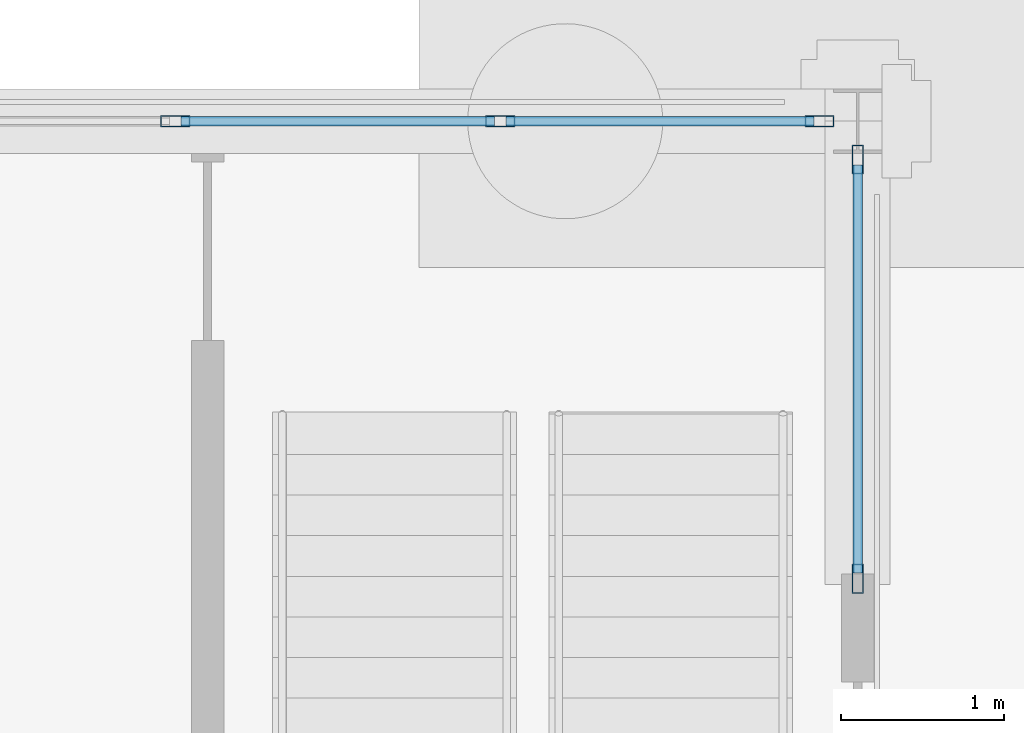
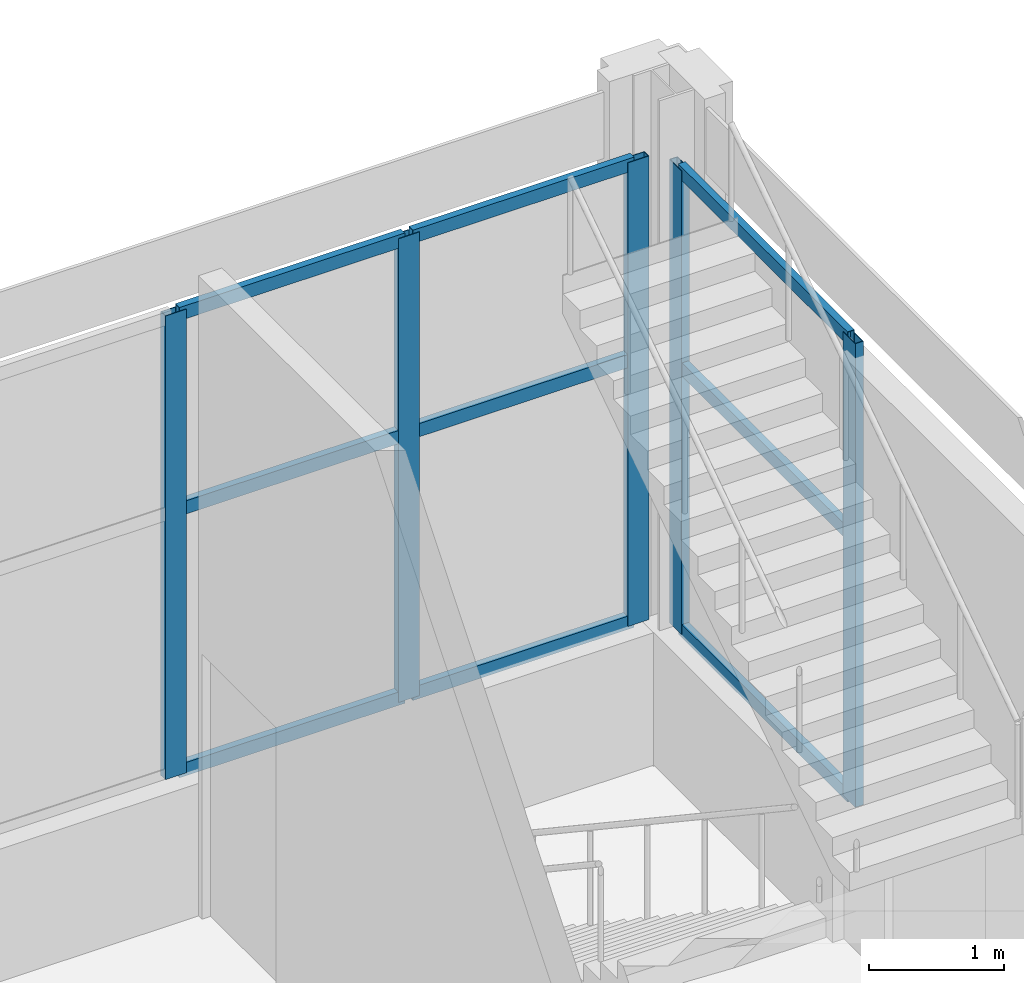
# One storey, part 165 of 212: 14 members, 2 elements without a shape of their own.
"""IFC4 building model written with IfcOpenShell, lengths in metres."""

from ifc_helpers import new_model, si_unit, direction, frame, origin, origin_2d, place, context, subcontext, project, spatial, hollow_rectangle, extrude, material, material_profile, profile_set, type_object, element, aggregate, save


model = new_model("IFC4")

# Units and contexts
model_context = context("Model", 3, precision=1e-05, world=origin(), true_north=direction((0.0, 1.0)))
body_context = subcontext(model_context, "Body", "Model", "MODEL_VIEW")
ifc_project = project(units=[si_unit("LENGTHUNIT", "METRE"), si_unit("AREAUNIT", "SQUARE_METRE"), si_unit("VOLUMEUNIT", "CUBIC_METRE"), si_unit("PLANEANGLEUNIT", "RADIAN"), si_unit("MASSUNIT", "GRAM", prefix="KILO")], contexts=[model_context])

# Site, building, storey
site_placement = place(None, origin())
site = spatial("IfcSite", under=ifc_project, at=site_placement, CompositionType="ELEMENT")
building_placement = place(site_placement, origin())
building = spatial("IfcBuilding", under=site, at=building_placement, Name="Catenary Quay Ferry Terminal", CompositionType="ELEMENT")
storey_placement = place(building_placement, origin())
storey = spatial("IfcBuildingStorey", under=building, at=storey_placement, Name="L00", CompositionType="ELEMENT", Elevation=0.0)

# Curtain wall, members
ifc_material_1 = material(Name="Aluminium and glass", Category="aluminium")
curtain_wall_type = type_object("IfcCurtainWallType", Name="CWW1", PredefinedType="NOTDEFINED", material=ifc_material_1)
curtain_wall_1_placement = place(storey_placement, origin())
curtain_wall_1 = element("IfcCurtainWall", 1, at=curtain_wall_1_placement, inside=storey, type_object=curtain_wall_type, Name="Wing curtain wall CW103", PredefinedType="NOTDEFINED")
ifc_material_2 = material(Name="Aluminium", Category="aluminium")
ifc_material_profile_1 = material_profile(ifc_material_2, hollow_rectangle(XDim=0.070068359375, YDim=0.179931640625, WallThickness=0.006103515625, at=origin_2d()), Name="MU3")
ifc_profile_set_1 = profile_set([ifc_material_profile_1], Name="Aluminium")
member_type_1 = type_object("IfcMemberType", Name="MU3", PredefinedType="MULLION", material=ifc_profile_set_1)
member_1_placement = place(storey_placement, frame((67.199951171875, 207.18505859375, 1.199951171875), z_axis=(0.0, 0.0, 1.0), x_axis=(-1.0, 0.0, 0.0)))
member_1 = element("IfcMember", 2, at=member_1_placement, type_object=member_type_1, Name="CW103 mullion 1", PredefinedType="MULLION", context=body_context, shape_type="SweptSolid", body=[
    extrude(hollow_rectangle(XDim=0.070068359375, YDim=0.179931640625, WallThickness=0.006103515625, at=origin_2d()), origin(), (0.0, 0.0, 1.0), 4.199951171875),
])
member_2_placement = place(storey_placement, frame((67.199951171875, 209.764892578125, 1.199951171875), z_axis=(0.0, 0.0, 1.0), x_axis=(-1.0, 0.0, 0.0)))
member_2 = element("IfcMember", 3, at=member_2_placement, type_object=member_type_1, Name="CW103 mullion 2", PredefinedType="MULLION", context=body_context, shape_type="SweptSolid", body=[
    extrude(hollow_rectangle(XDim=0.070068359375, YDim=0.179931640625, WallThickness=0.006103515625, at=origin_2d()), origin(), (0.0, 0.0, 1.0), 4.199951171875),
])

curtain_wall_2_placement = place(storey_placement, origin())
curtain_wall_2 = element("IfcCurtainWall", 4, at=curtain_wall_2_placement, inside=storey, type_object=curtain_wall_type, Name="Wing curtain wall CW105", PredefinedType="NOTDEFINED")
member_3_placement = place(storey_placement, frame((63.0, 210.0, 1.199951171875), z_axis=(0.0, 0.0, 1.0), x_axis=(0.0, 1.0, 0.0)))
member_3 = element("IfcMember", 5, at=member_3_placement, type_object=member_type_1, Name="CW105 mullion 3", PredefinedType="MULLION", context=body_context, shape_type="SweptSolid", body=[
    extrude(hollow_rectangle(XDim=0.070068359375, YDim=0.179931640625, WallThickness=0.006103515625, at=origin_2d()), origin(), (0.0, 0.0, 1.0), 4.199951171875),
])
member_4_placement = place(storey_placement, frame((65.0, 210.0, 1.199951171875), z_axis=(0.0, 0.0, 1.0), x_axis=(0.0, 1.0, 0.0)))
member_4 = element("IfcMember", 6, at=member_4_placement, type_object=member_type_1, Name="CW105 mullion 4", PredefinedType="MULLION", context=body_context, shape_type="SweptSolid", body=[
    extrude(hollow_rectangle(XDim=0.070068359375, YDim=0.179931640625, WallThickness=0.006103515625, at=origin_2d()), origin(), (0.0, 0.0, 1.0), 4.199951171875),
])
member_5_placement = place(storey_placement, frame((66.965087890625, 210.0, 1.199951171875), z_axis=(0.0, 0.0, 1.0), x_axis=(0.0, 1.0, 0.0)))
member_5 = element("IfcMember", 7, at=member_5_placement, type_object=member_type_1, Name="CW105 mullion 5", PredefinedType="MULLION", context=body_context, shape_type="SweptSolid", body=[
    extrude(hollow_rectangle(XDim=0.070068359375, YDim=0.179931640625, WallThickness=0.006103515625, at=origin_2d()), origin(), (0.0, 0.0, 1.0), 4.199951171875),
])

# Member
ifc_material_3 = material(Name="Aluminium", Category="aluminium")
ifc_material_profile_2 = material_profile(ifc_material_3, hollow_rectangle(XDim=0.06005859375, YDim=0.1201171875, WallThickness=0.0048828125, at=origin_2d()), Name="TR3")
ifc_profile_set_2 = profile_set([ifc_material_profile_2], Name="Aluminium")
member_type_2 = type_object("IfcMemberType", Name="TR3", PredefinedType="USERDEFINED", material=ifc_profile_set_2)
member_6_placement = place(storey_placement, frame((67.199951171875, 207.219970703125, 1.22998046875), z_axis=(0.0, 1.0, 0.0), x_axis=(-1.0, 0.0, 0.0)))
member_6 = element("IfcMember", 8, at=member_6_placement, type_object=member_type_2, Name="CW103 transom 1.1", ObjectType="TRANSOM", PredefinedType="USERDEFINED", context=body_context, shape_type="SweptSolid", body=[
    extrude(hollow_rectangle(XDim=0.06005859375, YDim=0.1201171875, WallThickness=0.0048828125, at=origin_2d()), origin(), (0.0, 0.0, 1.0), 2.510009765625),
])

member_7_placement = place(storey_placement, frame((67.199951171875, 207.219970703125, 3.60009765625), z_axis=(0.0, 1.0, 0.0), x_axis=(-1.0, 0.0, 0.0)))
member_7 = element("IfcMember", 9, at=member_7_placement, type_object=member_type_2, Name="CW103 transom 1.2", ObjectType="TRANSOM", PredefinedType="USERDEFINED", context=body_context, shape_type="SweptSolid", body=[
    extrude(hollow_rectangle(XDim=0.06005859375, YDim=0.1201171875, WallThickness=0.0048828125, at=origin_2d()), origin(), (0.0, 0.0, 1.0), 2.510009765625),
])

member_8_placement = place(storey_placement, frame((67.199951171875, 207.219970703125, 5.3701171875), z_axis=(0.0, 1.0, 0.0), x_axis=(-1.0, 0.0, 0.0)))
member_8 = element("IfcMember", 10, at=member_8_placement, type_object=member_type_2, Name="CW103 transom 1.3", ObjectType="TRANSOM", PredefinedType="USERDEFINED", context=body_context, shape_type="SweptSolid", body=[
    extrude(hollow_rectangle(XDim=0.06005859375, YDim=0.1201171875, WallThickness=0.0048828125, at=origin_2d()), origin(), (0.0, 0.0, 1.0), 2.510009765625),
])

aggregate(curtain_wall_1, [member_1, member_2, member_6, member_7, member_8])

member_9_placement = place(storey_placement, frame((63.034912109375, 210.0, 1.22998046875), z_axis=(1.0, 0.0, 0.0), x_axis=(0.0, 1.0, 0.0)))
member_9 = element("IfcMember", 11, at=member_9_placement, type_object=member_type_2, Name="CW105 transom 3.1", ObjectType="TRANSOM", PredefinedType="USERDEFINED", context=body_context, shape_type="SweptSolid", body=[
    extrude(hollow_rectangle(XDim=0.06005859375, YDim=0.1201171875, WallThickness=0.0048828125, at=origin_2d()), origin(), (0.0, 0.0, 1.0), 1.93017578125),
])

member_10_placement = place(storey_placement, frame((63.034912109375, 210.0, 3.60009765625), z_axis=(1.0, 0.0, 0.0), x_axis=(0.0, 1.0, 0.0)))
member_10 = element("IfcMember", 12, at=member_10_placement, type_object=member_type_2, Name="CW105 transom 3.2", ObjectType="TRANSOM", PredefinedType="USERDEFINED", context=body_context, shape_type="SweptSolid", body=[
    extrude(hollow_rectangle(XDim=0.06005859375, YDim=0.1201171875, WallThickness=0.0048828125, at=origin_2d()), origin(), (0.0, 0.0, 1.0), 1.93017578125),
])

member_11_placement = place(storey_placement, frame((63.034912109375, 210.0, 5.3701171875), z_axis=(1.0, 0.0, 0.0), x_axis=(0.0, 1.0, 0.0)))
member_11 = element("IfcMember", 13, at=member_11_placement, type_object=member_type_2, Name="CW105 transom 3.3", ObjectType="TRANSOM", PredefinedType="USERDEFINED", context=body_context, shape_type="SweptSolid", body=[
    extrude(hollow_rectangle(XDim=0.06005859375, YDim=0.1201171875, WallThickness=0.0048828125, at=origin_2d()), origin(), (0.0, 0.0, 1.0), 1.93017578125),
])

member_12_placement = place(storey_placement, frame((65.034912109375, 210.0, 1.22998046875), z_axis=(1.0, 0.0, 0.0), x_axis=(0.0, 1.0, 0.0)))
member_12 = element("IfcMember", 14, at=member_12_placement, type_object=member_type_2, Name="CW105 transom 4.1", ObjectType="TRANSOM", PredefinedType="USERDEFINED", context=body_context, shape_type="SweptSolid", body=[
    extrude(hollow_rectangle(XDim=0.06005859375, YDim=0.1201171875, WallThickness=0.0048828125, at=origin_2d()), origin(), (0.0, 0.0, 1.0), 1.89501953125),
])

member_13_placement = place(storey_placement, frame((65.034912109375, 210.0, 3.60009765625), z_axis=(1.0, 0.0, 0.0), x_axis=(0.0, 1.0, 0.0)))
member_13 = element("IfcMember", 15, at=member_13_placement, type_object=member_type_2, Name="CW105 transom 4.2", ObjectType="TRANSOM", PredefinedType="USERDEFINED", context=body_context, shape_type="SweptSolid", body=[
    extrude(hollow_rectangle(XDim=0.06005859375, YDim=0.1201171875, WallThickness=0.0048828125, at=origin_2d()), origin(), (0.0, 0.0, 1.0), 1.89501953125),
])

member_14_placement = place(storey_placement, frame((65.034912109375, 210.0, 5.3701171875), z_axis=(1.0, 0.0, 0.0), x_axis=(0.0, 1.0, 0.0)))
member_14 = element("IfcMember", 16, at=member_14_placement, type_object=member_type_2, Name="CW105 transom 4.3", ObjectType="TRANSOM", PredefinedType="USERDEFINED", context=body_context, shape_type="SweptSolid", body=[
    extrude(hollow_rectangle(XDim=0.06005859375, YDim=0.1201171875, WallThickness=0.0048828125, at=origin_2d()), origin(), (0.0, 0.0, 1.0), 1.89501953125),
])

aggregate(curtain_wall_2, [member_3, member_4, member_5, member_9, member_10, member_11, member_12, member_13, member_14])

save(model, "model.ifc")
